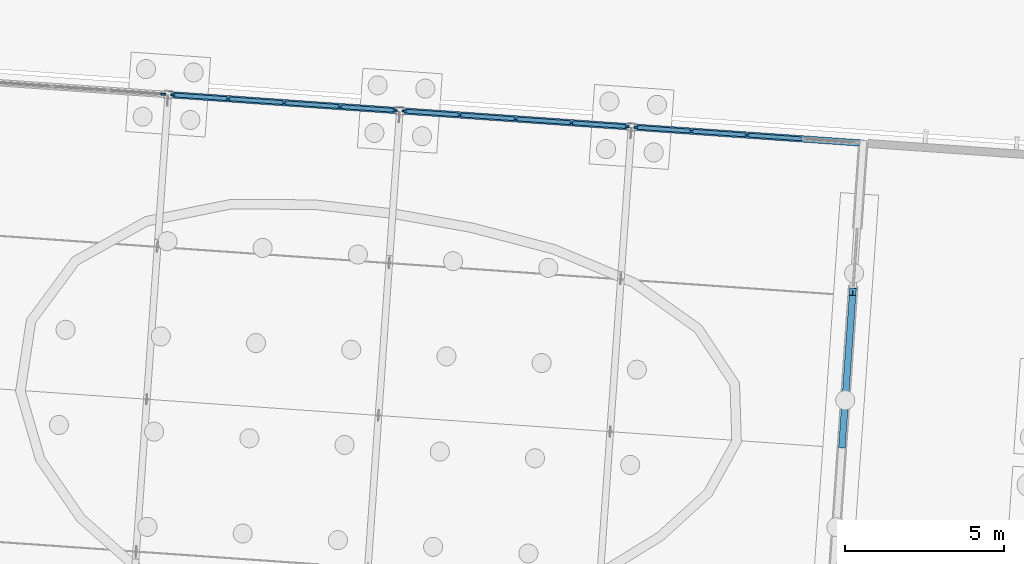
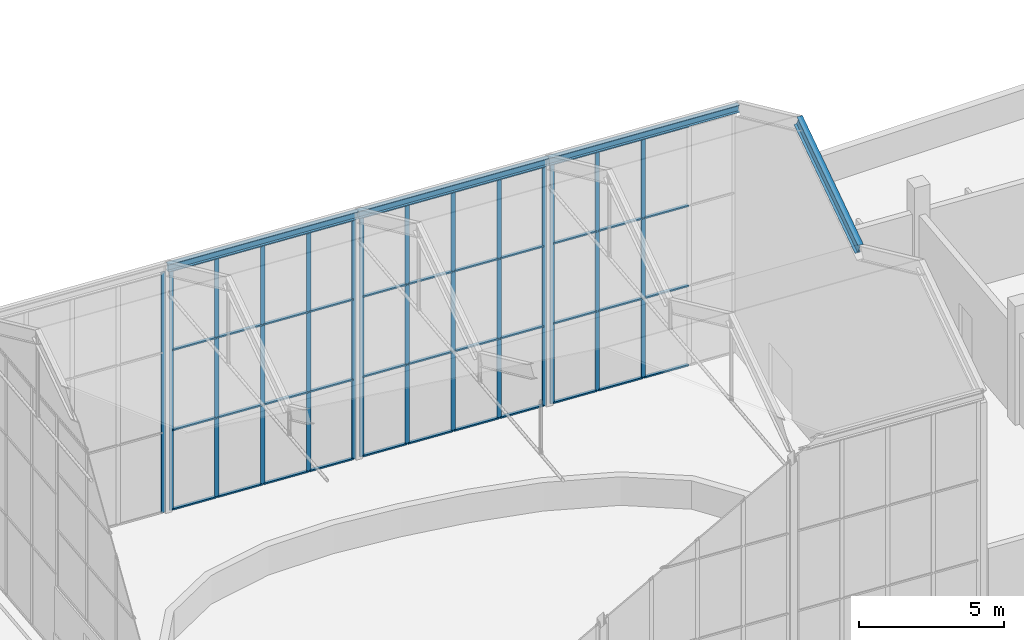
# One storey, part 62 of 157: 59 members, 3 beams, 4 elements without a shape of their own.
"""IFC4 building model written with IfcOpenShell, lengths in metres."""

from ifc_helpers import new_model, si_unit, direction, frame, origin, origin_2d, place, context, subcontext, project, spatial, rectangle, i_section, extrude, material, material_profile, profile_set, type_object, element, aggregate, save


model = new_model("IFC4")

# Units and contexts
model_context = context("Model", 3, precision=1e-05, world=origin(), true_north=direction((0.0, 1.0)))
body_context = subcontext(model_context, "Body", "Model", "MODEL_VIEW")
ifc_project = project(units=[si_unit("LENGTHUNIT", "METRE"), si_unit("AREAUNIT", "SQUARE_METRE"), si_unit("VOLUMEUNIT", "CUBIC_METRE"), si_unit("PLANEANGLEUNIT", "RADIAN"), si_unit("MASSUNIT", "GRAM", prefix="KILO")], contexts=[model_context])

# Site, building, storey
site_placement = place(None, origin())
site = spatial("IfcSite", under=ifc_project, at=site_placement, CompositionType="ELEMENT")
building_placement = place(site_placement, origin())
building = spatial("IfcBuilding", under=site, at=building_placement, Name="Windward Yard Aquatics Centre", CompositionType="ELEMENT")
storey_placement = place(building_placement, origin())
storey = spatial("IfcBuildingStorey", under=building, at=storey_placement, Name="L00", CompositionType="ELEMENT", Elevation=0.0)

# Curtain wall, member
ifc_material_1 = material(Name="Aluminium curtain wall system", Category="aluminium")
curtain_wall_type = type_object("IfcCurtainWallType", Name="W curtain wall 1900", PredefinedType="NOTDEFINED", material=ifc_material_1)
curtain_wall_1_placement = place(storey_placement, origin())
curtain_wall_1 = element("IfcCurtainWall", 1, at=curtain_wall_1_placement, inside=storey, type_object=curtain_wall_type, Name="Wing north glazing L00 1", PredefinedType="NOTDEFINED")
ifc_material_2 = material(Name="Aluminium mullion", Category="aluminium")
ifc_material_profile_1 = material_profile(ifc_material_2, rectangle(XDim=0.06005859375, YDim=0.159912109375, at=origin_2d()), Name="AL 60x160")
ifc_profile_set_1 = profile_set([ifc_material_profile_1], Name="Aluminium mullion")
member_type_1 = type_object("IfcMemberType", Name="W CW mullion 60x160", PredefinedType="MULLION", material=ifc_profile_set_1)
member_1_placement = place(storey_placement, frame((80.316162109375, 138.038330078125, 0.0), z_axis=(0.0, 0.0, 1.0), x_axis=(0.069756251182, 0.997564065823, 0.0)))
member_1 = element("IfcMember", 2, at=member_1_placement, type_object=member_type_1, Name="WCW1 mullion 5", PredefinedType="MULLION", context=body_context, shape_type="SweptSolid", body=[
    extrude(rectangle(XDim=0.06005859375, YDim=0.159912109375, at=origin_2d()), origin(), (0.0, 0.0, 1.0), 10.097900390625),
])
aggregate(curtain_wall_1, [member_1])

# Curtain wall, members
curtain_wall_2_placement = place(storey_placement, origin())
curtain_wall_2 = element("IfcCurtainWall", 3, at=curtain_wall_2_placement, inside=storey, type_object=curtain_wall_type, Name="Wing north glazing L00 2", PredefinedType="NOTDEFINED")
member_2_placement = place(storey_placement, frame((80.62939453125, 138.016357421875, 0.0), z_axis=(0.0, 0.0, 1.0), x_axis=(0.069756251182, 0.997564065823, 0.0)))
member_2 = element("IfcMember", 4, at=member_2_placement, type_object=member_type_1, Name="WCW1 mullion 1", PredefinedType="MULLION", context=body_context, shape_type="SweptSolid", body=[
    extrude(rectangle(XDim=0.06005859375, YDim=0.159912109375, at=origin_2d()), origin(), (0.0, 0.0, 1.0), 10.097900390625),
])
member_3_placement = place(storey_placement, frame((82.356689453125, 137.8955078125, 0.0), z_axis=(0.0, 0.0, 1.0), x_axis=(0.069756251182, 0.997564065823, 0.0)))
member_3 = element("IfcMember", 5, at=member_3_placement, type_object=member_type_1, Name="WCW1 mullion 2", PredefinedType="MULLION", context=body_context, shape_type="SweptSolid", body=[
    extrude(rectangle(XDim=0.06005859375, YDim=0.159912109375, at=origin_2d()), origin(), (0.0, 0.0, 1.0), 10.097900390625),
])
member_4_placement = place(storey_placement, frame((84.11376953125, 137.772705078125, 0.0), z_axis=(0.0, 0.0, 1.0), x_axis=(0.069756251182, 0.997564065823, 0.0)))
member_4 = element("IfcMember", 6, at=member_4_placement, type_object=member_type_1, Name="WCW1 mullion 3", PredefinedType="MULLION", context=body_context, shape_type="SweptSolid", body=[
    extrude(rectangle(XDim=0.06005859375, YDim=0.159912109375, at=origin_2d()), origin(), (0.0, 0.0, 1.0), 10.097900390625),
])
member_5_placement = place(storey_placement, frame((85.87109375, 137.64990234375, 0.0), z_axis=(0.0, 0.0, 1.0), x_axis=(0.069756251182, 0.997564065823, 0.0)))
member_5 = element("IfcMember", 7, at=member_5_placement, type_object=member_type_1, Name="WCW1 mullion 4", PredefinedType="MULLION", context=body_context, shape_type="SweptSolid", body=[
    extrude(rectangle(XDim=0.06005859375, YDim=0.159912109375, at=origin_2d()), origin(), (0.0, 0.0, 1.0), 10.097900390625),
])
member_6_placement = place(storey_placement, frame((87.598388671875, 137.529052734375, 0.0), z_axis=(0.0, 0.0, 1.0), x_axis=(0.069756251182, 0.997564065823, 0.0)))
member_6 = element("IfcMember", 8, at=member_6_placement, type_object=member_type_1, Name="WCW1 mullion 5", PredefinedType="MULLION", context=body_context, shape_type="SweptSolid", body=[
    extrude(rectangle(XDim=0.06005859375, YDim=0.159912109375, at=origin_2d()), origin(), (0.0, 0.0, 1.0), 10.097900390625),
])

curtain_wall_3_placement = place(storey_placement, origin())
curtain_wall_3 = element("IfcCurtainWall", 9, at=curtain_wall_3_placement, inside=storey, type_object=curtain_wall_type, Name="Wing north glazing L00 3", PredefinedType="NOTDEFINED")
member_7_placement = place(storey_placement, frame((87.91162109375, 137.507080078125, 0.0), z_axis=(0.0, 0.0, 1.0), x_axis=(0.069756251182, 0.997564065823, 0.0)))
member_7 = element("IfcMember", 10, at=member_7_placement, type_object=member_type_1, Name="WCW1 mullion 1", PredefinedType="MULLION", context=body_context, shape_type="SweptSolid", body=[
    extrude(rectangle(XDim=0.06005859375, YDim=0.159912109375, at=origin_2d()), origin(), (0.0, 0.0, 1.0), 10.097900390625),
])
member_8_placement = place(storey_placement, frame((89.638916015625, 137.38623046875, 0.0), z_axis=(0.0, 0.0, 1.0), x_axis=(0.069756251182, 0.997564065823, 0.0)))
member_8 = element("IfcMember", 11, at=member_8_placement, type_object=member_type_1, Name="WCW1 mullion 2", PredefinedType="MULLION", context=body_context, shape_type="SweptSolid", body=[
    extrude(rectangle(XDim=0.06005859375, YDim=0.159912109375, at=origin_2d()), origin(), (0.0, 0.0, 1.0), 10.097900390625),
])
member_9_placement = place(storey_placement, frame((91.39599609375, 137.263427734375, 0.0), z_axis=(0.0, 0.0, 1.0), x_axis=(0.069756251182, 0.997564065823, 0.0)))
member_9 = element("IfcMember", 12, at=member_9_placement, type_object=member_type_1, Name="WCW1 mullion 3", PredefinedType="MULLION", context=body_context, shape_type="SweptSolid", body=[
    extrude(rectangle(XDim=0.06005859375, YDim=0.159912109375, at=origin_2d()), origin(), (0.0, 0.0, 1.0), 10.097900390625),
])
member_10_placement = place(storey_placement, frame((93.1533203125, 137.140625, 0.0), z_axis=(0.0, 0.0, 1.0), x_axis=(0.069756251182, 0.997564065823, 0.0)))
member_10 = element("IfcMember", 13, at=member_10_placement, type_object=member_type_1, Name="WCW1 mullion 4", PredefinedType="MULLION", context=body_context, shape_type="SweptSolid", body=[
    extrude(rectangle(XDim=0.06005859375, YDim=0.159912109375, at=origin_2d()), origin(), (0.0, 0.0, 1.0), 10.097900390625),
])
member_11_placement = place(storey_placement, frame((94.88037109375, 137.019775390625, 0.0), z_axis=(0.0, 0.0, 1.0), x_axis=(0.069756251182, 0.997564065823, 0.0)))
member_11 = element("IfcMember", 14, at=member_11_placement, type_object=member_type_1, Name="WCW1 mullion 5", PredefinedType="MULLION", context=body_context, shape_type="SweptSolid", body=[
    extrude(rectangle(XDim=0.06005859375, YDim=0.159912109375, at=origin_2d()), origin(), (0.0, 0.0, 1.0), 10.097900390625),
])

curtain_wall_4_placement = place(storey_placement, origin())
curtain_wall_4 = element("IfcCurtainWall", 15, at=curtain_wall_4_placement, inside=storey, type_object=curtain_wall_type, Name="Wing north glazing L00 4", PredefinedType="NOTDEFINED")
member_12_placement = place(storey_placement, frame((95.19384765625, 136.997802734375, 0.0), z_axis=(0.0, 0.0, 1.0), x_axis=(0.069756438069, 0.997564052754, 0.0)))
member_12 = element("IfcMember", 16, at=member_12_placement, type_object=member_type_1, Name="WCW1 mullion 1", PredefinedType="MULLION", context=body_context, shape_type="SweptSolid", body=[
    extrude(rectangle(XDim=0.06005859375, YDim=0.159912109375, at=origin_2d()), origin(), (0.0, 0.0, 1.0), 10.097900390625),
])
member_13_placement = place(storey_placement, frame((96.915283203125, 136.87744140625, 0.0), z_axis=(0.0, 0.0, 1.0), x_axis=(0.069756438069, 0.997564052754, 0.0)))
member_13 = element("IfcMember", 17, at=member_13_placement, type_object=member_type_1, Name="WCW1 mullion 2", PredefinedType="MULLION", context=body_context, shape_type="SweptSolid", body=[
    extrude(rectangle(XDim=0.06005859375, YDim=0.159912109375, at=origin_2d()), origin(), (0.0, 0.0, 1.0), 10.097900390625),
])
member_14_placement = place(storey_placement, frame((98.666748046875, 136.755126953125, 0.0), z_axis=(0.0, 0.0, 1.0), x_axis=(0.069756438069, 0.997564052754, 0.0)))
member_14 = element("IfcMember", 18, at=member_14_placement, type_object=member_type_1, Name="WCW1 mullion 3", PredefinedType="MULLION", context=body_context, shape_type="SweptSolid", body=[
    extrude(rectangle(XDim=0.06005859375, YDim=0.159912109375, at=origin_2d()), origin(), (0.0, 0.0, 1.0), 10.097900390625),
])

# Member
ifc_material_3 = material(Name="Aluminium transom", Category="aluminium")
ifc_material_profile_2 = material_profile(ifc_material_3, rectangle(XDim=0.1201171875, YDim=0.06005859375, at=origin_2d()), Name="AL 120x60")
ifc_profile_set_2 = profile_set([ifc_material_profile_2], Name="Aluminium transom")
member_type_2 = type_object("IfcMemberType", Name="W CW transom 120x60", PredefinedType="USERDEFINED", material=ifc_profile_set_2)
member_15_placement = place(storey_placement, frame((80.6591796875, 138.014404296875, 0.030029296875), z_axis=(0.99755998444, -0.069814593347, 0.0), x_axis=(0.069814593347, 0.99755998444, 0.0)))
member_15 = element("IfcMember", 19, at=member_15_placement, type_object=member_type_2, Name="WCW1 transom 1.1", ObjectType="TRANSOM", PredefinedType="USERDEFINED", context=body_context, shape_type="SweptSolid", body=[
    extrude(rectangle(XDim=0.1201171875, YDim=0.06005859375, at=origin_2d()), origin(), (0.0, 0.0, 1.0), 1.671630859375),
])

member_16_placement = place(storey_placement, frame((80.6591796875, 138.014404296875, 3.365966796875), z_axis=(0.99755998444, -0.069814593347, 0.0), x_axis=(0.069814593347, 0.99755998444, 0.0)))
member_16 = element("IfcMember", 20, at=member_16_placement, type_object=member_type_2, Name="WCW1 transom 1.2", ObjectType="TRANSOM", PredefinedType="USERDEFINED", context=body_context, shape_type="SweptSolid", body=[
    extrude(rectangle(XDim=0.1201171875, YDim=0.06005859375, at=origin_2d()), origin(), (0.0, 0.0, 1.0), 1.671630859375),
])

member_17_placement = place(storey_placement, frame((80.6591796875, 138.014404296875, 6.73193359375), z_axis=(0.99755998444, -0.069814593347, 0.0), x_axis=(0.069814593347, 0.99755998444, 0.0)))
member_17 = element("IfcMember", 21, at=member_17_placement, type_object=member_type_2, Name="WCW1 transom 1.3", ObjectType="TRANSOM", PredefinedType="USERDEFINED", context=body_context, shape_type="SweptSolid", body=[
    extrude(rectangle(XDim=0.1201171875, YDim=0.06005859375, at=origin_2d()), origin(), (0.0, 0.0, 1.0), 1.671630859375),
])

member_18_placement = place(storey_placement, frame((80.6591796875, 138.014404296875, 10.068115234375), z_axis=(0.99755998444, -0.069814593347, 0.0), x_axis=(0.069814593347, 0.99755998444, 0.0)))
member_18 = element("IfcMember", 22, at=member_18_placement, type_object=member_type_2, Name="WCW1 transom 1.4", ObjectType="TRANSOM", PredefinedType="USERDEFINED", context=body_context, shape_type="SweptSolid", body=[
    extrude(rectangle(XDim=0.1201171875, YDim=0.06005859375, at=origin_2d()), origin(), (0.0, 0.0, 1.0), 1.671630859375),
])

member_19_placement = place(storey_placement, frame((82.386474609375, 137.8935546875, 0.030029296875), z_axis=(0.997566057818, -0.069727758392, 0.0), x_axis=(0.069727758392, 0.997566057818, 0.0)))
member_19 = element("IfcMember", 23, at=member_19_placement, type_object=member_type_2, Name="WCW1 transom 2.1", ObjectType="TRANSOM", PredefinedType="USERDEFINED", context=body_context, shape_type="SweptSolid", body=[
    extrude(rectangle(XDim=0.1201171875, YDim=0.06005859375, at=origin_2d()), origin(), (0.0, 0.0, 1.0), 1.70166015625),
])

member_20_placement = place(storey_placement, frame((82.386474609375, 137.8935546875, 3.365966796875), z_axis=(0.997566057818, -0.069727758392, 0.0), x_axis=(0.069727758392, 0.997566057818, 0.0)))
member_20 = element("IfcMember", 24, at=member_20_placement, type_object=member_type_2, Name="WCW1 transom 2.2", ObjectType="TRANSOM", PredefinedType="USERDEFINED", context=body_context, shape_type="SweptSolid", body=[
    extrude(rectangle(XDim=0.1201171875, YDim=0.06005859375, at=origin_2d()), origin(), (0.0, 0.0, 1.0), 1.70166015625),
])

member_21_placement = place(storey_placement, frame((82.386474609375, 137.8935546875, 6.73193359375), z_axis=(0.997566057818, -0.069727758392, 0.0), x_axis=(0.069727758392, 0.997566057818, 0.0)))
member_21 = element("IfcMember", 25, at=member_21_placement, type_object=member_type_2, Name="WCW1 transom 2.3", ObjectType="TRANSOM", PredefinedType="USERDEFINED", context=body_context, shape_type="SweptSolid", body=[
    extrude(rectangle(XDim=0.1201171875, YDim=0.06005859375, at=origin_2d()), origin(), (0.0, 0.0, 1.0), 1.70166015625),
])

member_22_placement = place(storey_placement, frame((82.386474609375, 137.8935546875, 10.068115234375), z_axis=(0.997566057818, -0.069727758392, 0.0), x_axis=(0.069727758392, 0.997566057818, 0.0)))
member_22 = element("IfcMember", 26, at=member_22_placement, type_object=member_type_2, Name="WCW1 transom 2.4", ObjectType="TRANSOM", PredefinedType="USERDEFINED", context=body_context, shape_type="SweptSolid", body=[
    extrude(rectangle(XDim=0.1201171875, YDim=0.06005859375, at=origin_2d()), origin(), (0.0, 0.0, 1.0), 1.70166015625),
])

member_23_placement = place(storey_placement, frame((84.143798828125, 137.770751953125, 0.030029296875), z_axis=(0.997555367454, -0.069880532789, 0.0), x_axis=(0.069880532789, 0.997555367454, 0.0)))
member_23 = element("IfcMember", 27, at=member_23_placement, type_object=member_type_2, Name="WCW1 transom 3.1", ObjectType="TRANSOM", PredefinedType="USERDEFINED", context=body_context, shape_type="SweptSolid", body=[
    extrude(rectangle(XDim=0.1201171875, YDim=0.06005859375, at=origin_2d()), origin(), (0.0, 0.0, 1.0), 1.701416015625),
])

member_24_placement = place(storey_placement, frame((84.143798828125, 137.770751953125, 3.365966796875), z_axis=(0.997555367454, -0.069880532789, 0.0), x_axis=(0.069880532789, 0.997555367454, 0.0)))
member_24 = element("IfcMember", 28, at=member_24_placement, type_object=member_type_2, Name="WCW1 transom 3.2", ObjectType="TRANSOM", PredefinedType="USERDEFINED", context=body_context, shape_type="SweptSolid", body=[
    extrude(rectangle(XDim=0.1201171875, YDim=0.06005859375, at=origin_2d()), origin(), (0.0, 0.0, 1.0), 1.701416015625),
])

member_25_placement = place(storey_placement, frame((84.143798828125, 137.770751953125, 6.73193359375), z_axis=(0.997555367454, -0.069880532789, 0.0), x_axis=(0.069880532789, 0.997555367454, 0.0)))
member_25 = element("IfcMember", 29, at=member_25_placement, type_object=member_type_2, Name="WCW1 transom 3.3", ObjectType="TRANSOM", PredefinedType="USERDEFINED", context=body_context, shape_type="SweptSolid", body=[
    extrude(rectangle(XDim=0.1201171875, YDim=0.06005859375, at=origin_2d()), origin(), (0.0, 0.0, 1.0), 1.701416015625),
])

member_26_placement = place(storey_placement, frame((84.143798828125, 137.770751953125, 10.068115234375), z_axis=(0.997555367454, -0.069880532789, 0.0), x_axis=(0.069880532789, 0.997555367454, 0.0)))
member_26 = element("IfcMember", 30, at=member_26_placement, type_object=member_type_2, Name="WCW1 transom 3.4", ObjectType="TRANSOM", PredefinedType="USERDEFINED", context=body_context, shape_type="SweptSolid", body=[
    extrude(rectangle(XDim=0.1201171875, YDim=0.06005859375, at=origin_2d()), origin(), (0.0, 0.0, 1.0), 1.701416015625),
])

member_27_placement = place(storey_placement, frame((85.90087890625, 137.647705078125, 0.030029296875), z_axis=(0.997570145889, -0.069669247378, 0.0), x_axis=(0.069669247378, 0.997570145889, 0.0)))
member_27 = element("IfcMember", 31, at=member_27_placement, type_object=member_type_2, Name="WCW1 transom 4.1", ObjectType="TRANSOM", PredefinedType="USERDEFINED", context=body_context, shape_type="SweptSolid", body=[
    extrude(rectangle(XDim=0.1201171875, YDim=0.06005859375, at=origin_2d()), origin(), (0.0, 0.0, 1.0), 1.671630859375),
])

member_28_placement = place(storey_placement, frame((85.90087890625, 137.647705078125, 3.365966796875), z_axis=(0.997570145889, -0.069669247378, 0.0), x_axis=(0.069669247378, 0.997570145889, 0.0)))
member_28 = element("IfcMember", 32, at=member_28_placement, type_object=member_type_2, Name="WCW1 transom 4.2", ObjectType="TRANSOM", PredefinedType="USERDEFINED", context=body_context, shape_type="SweptSolid", body=[
    extrude(rectangle(XDim=0.1201171875, YDim=0.06005859375, at=origin_2d()), origin(), (0.0, 0.0, 1.0), 1.671630859375),
])

member_29_placement = place(storey_placement, frame((85.90087890625, 137.647705078125, 6.73193359375), z_axis=(0.997570145889, -0.069669247378, 0.0), x_axis=(0.069669247378, 0.997570145889, 0.0)))
member_29 = element("IfcMember", 33, at=member_29_placement, type_object=member_type_2, Name="WCW1 transom 4.3", ObjectType="TRANSOM", PredefinedType="USERDEFINED", context=body_context, shape_type="SweptSolid", body=[
    extrude(rectangle(XDim=0.1201171875, YDim=0.06005859375, at=origin_2d()), origin(), (0.0, 0.0, 1.0), 1.671630859375),
])

member_30_placement = place(storey_placement, frame((85.90087890625, 137.647705078125, 10.068115234375), z_axis=(0.997570145889, -0.069669247378, 0.0), x_axis=(0.069669247378, 0.997570145889, 0.0)))
member_30 = element("IfcMember", 34, at=member_30_placement, type_object=member_type_2, Name="WCW1 transom 4.4", ObjectType="TRANSOM", PredefinedType="USERDEFINED", context=body_context, shape_type="SweptSolid", body=[
    extrude(rectangle(XDim=0.1201171875, YDim=0.06005859375, at=origin_2d()), origin(), (0.0, 0.0, 1.0), 1.671630859375),
])

aggregate(curtain_wall_2, [member_2, member_3, member_4, member_5, member_6, member_15, member_16, member_17, member_18, member_19, member_20, member_21, member_22, member_23, member_24, member_25, member_26, member_27, member_28, member_29, member_30])

member_31_placement = place(storey_placement, frame((87.94140625, 137.505126953125, 0.030029296875), z_axis=(0.99755998444, -0.069814593347, 0.0), x_axis=(0.069814593347, 0.99755998444, 0.0)))
member_31 = element("IfcMember", 35, at=member_31_placement, type_object=member_type_2, Name="WCW1 transom 1.1", ObjectType="TRANSOM", PredefinedType="USERDEFINED", context=body_context, shape_type="SweptSolid", body=[
    extrude(rectangle(XDim=0.1201171875, YDim=0.06005859375, at=origin_2d()), origin(), (0.0, 0.0, 1.0), 1.671630859375),
])

member_32_placement = place(storey_placement, frame((87.94140625, 137.505126953125, 3.365966796875), z_axis=(0.99755998444, -0.069814593347, 0.0), x_axis=(0.069814593347, 0.99755998444, 0.0)))
member_32 = element("IfcMember", 36, at=member_32_placement, type_object=member_type_2, Name="WCW1 transom 1.2", ObjectType="TRANSOM", PredefinedType="USERDEFINED", context=body_context, shape_type="SweptSolid", body=[
    extrude(rectangle(XDim=0.1201171875, YDim=0.06005859375, at=origin_2d()), origin(), (0.0, 0.0, 1.0), 1.671630859375),
])

member_33_placement = place(storey_placement, frame((87.94140625, 137.505126953125, 6.73193359375), z_axis=(0.99755998444, -0.069814593347, 0.0), x_axis=(0.069814593347, 0.99755998444, 0.0)))
member_33 = element("IfcMember", 37, at=member_33_placement, type_object=member_type_2, Name="WCW1 transom 1.3", ObjectType="TRANSOM", PredefinedType="USERDEFINED", context=body_context, shape_type="SweptSolid", body=[
    extrude(rectangle(XDim=0.1201171875, YDim=0.06005859375, at=origin_2d()), origin(), (0.0, 0.0, 1.0), 1.671630859375),
])

member_34_placement = place(storey_placement, frame((87.94140625, 137.505126953125, 10.068115234375), z_axis=(0.99755998444, -0.069814593347, 0.0), x_axis=(0.069814593347, 0.99755998444, 0.0)))
member_34 = element("IfcMember", 38, at=member_34_placement, type_object=member_type_2, Name="WCW1 transom 1.4", ObjectType="TRANSOM", PredefinedType="USERDEFINED", context=body_context, shape_type="SweptSolid", body=[
    extrude(rectangle(XDim=0.1201171875, YDim=0.06005859375, at=origin_2d()), origin(), (0.0, 0.0, 1.0), 1.671630859375),
])

member_35_placement = place(storey_placement, frame((89.668701171875, 137.38427734375, 0.030029296875), z_axis=(0.997565360109, -0.069737739501, 0.0), x_axis=(0.069737739501, 0.997565360109, 0.0)))
member_35 = element("IfcMember", 39, at=member_35_placement, type_object=member_type_2, Name="WCW1 transom 2.1", ObjectType="TRANSOM", PredefinedType="USERDEFINED", context=body_context, shape_type="SweptSolid", body=[
    extrude(rectangle(XDim=0.1201171875, YDim=0.06005859375, at=origin_2d()), origin(), (0.0, 0.0, 1.0), 1.701416015625),
])

member_36_placement = place(storey_placement, frame((89.668701171875, 137.38427734375, 3.365966796875), z_axis=(0.997565360109, -0.069737739501, 0.0), x_axis=(0.069737739501, 0.997565360109, 0.0)))
member_36 = element("IfcMember", 40, at=member_36_placement, type_object=member_type_2, Name="WCW1 transom 2.2", ObjectType="TRANSOM", PredefinedType="USERDEFINED", context=body_context, shape_type="SweptSolid", body=[
    extrude(rectangle(XDim=0.1201171875, YDim=0.06005859375, at=origin_2d()), origin(), (0.0, 0.0, 1.0), 1.701416015625),
])

member_37_placement = place(storey_placement, frame((89.668701171875, 137.38427734375, 6.73193359375), z_axis=(0.997565360109, -0.069737739501, 0.0), x_axis=(0.069737739501, 0.997565360109, 0.0)))
member_37 = element("IfcMember", 41, at=member_37_placement, type_object=member_type_2, Name="WCW1 transom 2.3", ObjectType="TRANSOM", PredefinedType="USERDEFINED", context=body_context, shape_type="SweptSolid", body=[
    extrude(rectangle(XDim=0.1201171875, YDim=0.06005859375, at=origin_2d()), origin(), (0.0, 0.0, 1.0), 1.701416015625),
])

member_38_placement = place(storey_placement, frame((89.668701171875, 137.38427734375, 10.068115234375), z_axis=(0.997565360109, -0.069737739501, 0.0), x_axis=(0.069737739501, 0.997565360109, 0.0)))
member_38 = element("IfcMember", 42, at=member_38_placement, type_object=member_type_2, Name="WCW1 transom 2.4", ObjectType="TRANSOM", PredefinedType="USERDEFINED", context=body_context, shape_type="SweptSolid", body=[
    extrude(rectangle(XDim=0.1201171875, YDim=0.06005859375, at=origin_2d()), origin(), (0.0, 0.0, 1.0), 1.701416015625),
])

member_39_placement = place(storey_placement, frame((91.426025390625, 137.261474609375, 0.030029296875), z_axis=(0.997555367454, -0.069880532789, 0.0), x_axis=(0.069880532789, 0.997555367454, 0.0)))
member_39 = element("IfcMember", 43, at=member_39_placement, type_object=member_type_2, Name="WCW1 transom 3.1", ObjectType="TRANSOM", PredefinedType="USERDEFINED", context=body_context, shape_type="SweptSolid", body=[
    extrude(rectangle(XDim=0.1201171875, YDim=0.06005859375, at=origin_2d()), origin(), (0.0, 0.0, 1.0), 1.701416015625),
])

member_40_placement = place(storey_placement, frame((91.426025390625, 137.261474609375, 3.365966796875), z_axis=(0.997555367454, -0.069880532789, 0.0), x_axis=(0.069880532789, 0.997555367454, 0.0)))
member_40 = element("IfcMember", 44, at=member_40_placement, type_object=member_type_2, Name="WCW1 transom 3.2", ObjectType="TRANSOM", PredefinedType="USERDEFINED", context=body_context, shape_type="SweptSolid", body=[
    extrude(rectangle(XDim=0.1201171875, YDim=0.06005859375, at=origin_2d()), origin(), (0.0, 0.0, 1.0), 1.701416015625),
])

member_41_placement = place(storey_placement, frame((91.426025390625, 137.261474609375, 6.73193359375), z_axis=(0.997555367454, -0.069880532789, 0.0), x_axis=(0.069880532789, 0.997555367454, 0.0)))
member_41 = element("IfcMember", 45, at=member_41_placement, type_object=member_type_2, Name="WCW1 transom 3.3", ObjectType="TRANSOM", PredefinedType="USERDEFINED", context=body_context, shape_type="SweptSolid", body=[
    extrude(rectangle(XDim=0.1201171875, YDim=0.06005859375, at=origin_2d()), origin(), (0.0, 0.0, 1.0), 1.701416015625),
])

member_42_placement = place(storey_placement, frame((91.426025390625, 137.261474609375, 10.068115234375), z_axis=(0.997555367454, -0.069880532789, 0.0), x_axis=(0.069880532789, 0.997555367454, 0.0)))
member_42 = element("IfcMember", 46, at=member_42_placement, type_object=member_type_2, Name="WCW1 transom 3.4", ObjectType="TRANSOM", PredefinedType="USERDEFINED", context=body_context, shape_type="SweptSolid", body=[
    extrude(rectangle(XDim=0.1201171875, YDim=0.06005859375, at=origin_2d()), origin(), (0.0, 0.0, 1.0), 1.701416015625),
])

member_43_placement = place(storey_placement, frame((93.18310546875, 137.138427734375, 0.030029296875), z_axis=(0.997570145889, -0.069669247378, 0.0), x_axis=(0.069669247378, 0.997570145889, 0.0)))
member_43 = element("IfcMember", 47, at=member_43_placement, type_object=member_type_2, Name="WCW1 transom 4.1", ObjectType="TRANSOM", PredefinedType="USERDEFINED", context=body_context, shape_type="SweptSolid", body=[
    extrude(rectangle(XDim=0.1201171875, YDim=0.06005859375, at=origin_2d()), origin(), (0.0, 0.0, 1.0), 1.671630859375),
])

member_44_placement = place(storey_placement, frame((93.18310546875, 137.138427734375, 3.365966796875), z_axis=(0.997570145889, -0.069669247378, 0.0), x_axis=(0.069669247378, 0.997570145889, 0.0)))
member_44 = element("IfcMember", 48, at=member_44_placement, type_object=member_type_2, Name="WCW1 transom 4.2", ObjectType="TRANSOM", PredefinedType="USERDEFINED", context=body_context, shape_type="SweptSolid", body=[
    extrude(rectangle(XDim=0.1201171875, YDim=0.06005859375, at=origin_2d()), origin(), (0.0, 0.0, 1.0), 1.671630859375),
])

member_45_placement = place(storey_placement, frame((93.18310546875, 137.138427734375, 6.73193359375), z_axis=(0.997570145889, -0.069669247378, 0.0), x_axis=(0.069669247378, 0.997570145889, 0.0)))
member_45 = element("IfcMember", 49, at=member_45_placement, type_object=member_type_2, Name="WCW1 transom 4.3", ObjectType="TRANSOM", PredefinedType="USERDEFINED", context=body_context, shape_type="SweptSolid", body=[
    extrude(rectangle(XDim=0.1201171875, YDim=0.06005859375, at=origin_2d()), origin(), (0.0, 0.0, 1.0), 1.671630859375),
])

member_46_placement = place(storey_placement, frame((93.18310546875, 137.138427734375, 10.068115234375), z_axis=(0.997570145889, -0.069669247378, 0.0), x_axis=(0.069669247378, 0.997570145889, 0.0)))
member_46 = element("IfcMember", 50, at=member_46_placement, type_object=member_type_2, Name="WCW1 transom 4.4", ObjectType="TRANSOM", PredefinedType="USERDEFINED", context=body_context, shape_type="SweptSolid", body=[
    extrude(rectangle(XDim=0.1201171875, YDim=0.06005859375, at=origin_2d()), origin(), (0.0, 0.0, 1.0), 1.671630859375),
])

aggregate(curtain_wall_3, [member_7, member_8, member_9, member_10, member_11, member_31, member_32, member_33, member_34, member_35, member_36, member_37, member_38, member_39, member_40, member_41, member_42, member_43, member_44, member_45, member_46])

member_47_placement = place(storey_placement, frame((95.2236328125, 136.995849609375, 0.030029296875), z_axis=(0.99756325344, -0.069767867857, 0.0), x_axis=(0.069767867857, 0.99756325344, 0.0)))
member_47 = element("IfcMember", 51, at=member_47_placement, type_object=member_type_2, Name="WCW1 transom 1.1", ObjectType="TRANSOM", PredefinedType="USERDEFINED", context=body_context, shape_type="SweptSolid", body=[
    extrude(rectangle(XDim=0.1201171875, YDim=0.06005859375, at=origin_2d()), origin(), (0.0, 0.0, 1.0), 1.665771484375),
])

member_48_placement = place(storey_placement, frame((95.2236328125, 136.995849609375, 3.365966796875), z_axis=(0.99756325344, -0.069767867857, 0.0), x_axis=(0.069767867857, 0.99756325344, 0.0)))
member_48 = element("IfcMember", 52, at=member_48_placement, type_object=member_type_2, Name="WCW1 transom 1.2", ObjectType="TRANSOM", PredefinedType="USERDEFINED", context=body_context, shape_type="SweptSolid", body=[
    extrude(rectangle(XDim=0.1201171875, YDim=0.06005859375, at=origin_2d()), origin(), (0.0, 0.0, 1.0), 1.665771484375),
])

member_49_placement = place(storey_placement, frame((95.2236328125, 136.995849609375, 6.73193359375), z_axis=(0.99756325344, -0.069767867857, 0.0), x_axis=(0.069767867857, 0.99756325344, 0.0)))
member_49 = element("IfcMember", 53, at=member_49_placement, type_object=member_type_2, Name="WCW1 transom 1.3", ObjectType="TRANSOM", PredefinedType="USERDEFINED", context=body_context, shape_type="SweptSolid", body=[
    extrude(rectangle(XDim=0.1201171875, YDim=0.06005859375, at=origin_2d()), origin(), (0.0, 0.0, 1.0), 1.665771484375),
])

member_50_placement = place(storey_placement, frame((95.2236328125, 136.995849609375, 10.068115234375), z_axis=(0.99756325344, -0.069767867857, 0.0), x_axis=(0.069767867857, 0.99756325344, 0.0)))
member_50 = element("IfcMember", 54, at=member_50_placement, type_object=member_type_2, Name="WCW1 transom 1.4", ObjectType="TRANSOM", PredefinedType="USERDEFINED", context=body_context, shape_type="SweptSolid", body=[
    extrude(rectangle(XDim=0.1201171875, YDim=0.06005859375, at=origin_2d()), origin(), (0.0, 0.0, 1.0), 1.665771484375),
])

member_51_placement = place(storey_placement, frame((96.9453125, 136.87548828125, 0.030029296875), z_axis=(0.997558565921, -0.06983485919, 0.0), x_axis=(0.06983485919, 0.997558565921, 0.0)))
member_51 = element("IfcMember", 55, at=member_51_placement, type_object=member_type_2, Name="WCW1 transom 2.1", ObjectType="TRANSOM", PredefinedType="USERDEFINED", context=body_context, shape_type="SweptSolid", body=[
    extrude(rectangle(XDim=0.1201171875, YDim=0.06005859375, at=origin_2d()), origin(), (0.0, 0.0, 1.0), 1.695556640625),
])

member_52_placement = place(storey_placement, frame((96.9453125, 136.87548828125, 3.365966796875), z_axis=(0.997558565921, -0.06983485919, 0.0), x_axis=(0.06983485919, 0.997558565921, 0.0)))
member_52 = element("IfcMember", 56, at=member_52_placement, type_object=member_type_2, Name="WCW1 transom 2.2", ObjectType="TRANSOM", PredefinedType="USERDEFINED", context=body_context, shape_type="SweptSolid", body=[
    extrude(rectangle(XDim=0.1201171875, YDim=0.06005859375, at=origin_2d()), origin(), (0.0, 0.0, 1.0), 1.695556640625),
])

member_53_placement = place(storey_placement, frame((96.9453125, 136.87548828125, 6.73193359375), z_axis=(0.997558565921, -0.06983485919, 0.0), x_axis=(0.06983485919, 0.997558565921, 0.0)))
member_53 = element("IfcMember", 57, at=member_53_placement, type_object=member_type_2, Name="WCW1 transom 2.3", ObjectType="TRANSOM", PredefinedType="USERDEFINED", context=body_context, shape_type="SweptSolid", body=[
    extrude(rectangle(XDim=0.1201171875, YDim=0.06005859375, at=origin_2d()), origin(), (0.0, 0.0, 1.0), 1.695556640625),
])

member_54_placement = place(storey_placement, frame((96.9453125, 136.87548828125, 10.068115234375), z_axis=(0.997558565921, -0.06983485919, 0.0), x_axis=(0.06983485919, 0.997558565921, 0.0)))
member_54 = element("IfcMember", 58, at=member_54_placement, type_object=member_type_2, Name="WCW1 transom 2.4", ObjectType="TRANSOM", PredefinedType="USERDEFINED", context=body_context, shape_type="SweptSolid", body=[
    extrude(rectangle(XDim=0.1201171875, YDim=0.06005859375, at=origin_2d()), origin(), (0.0, 0.0, 1.0), 1.695556640625),
])

member_55_placement = place(storey_placement, frame((98.69677734375, 136.7529296875, 0.030029296875), z_axis=(0.99756858666, -0.069691569853, 0.0), x_axis=(0.069691569853, 0.99756858666, 0.0)))
member_55 = element("IfcMember", 59, at=member_55_placement, type_object=member_type_2, Name="WCW1 transom 3.1", ObjectType="TRANSOM", PredefinedType="USERDEFINED", context=body_context, shape_type="SweptSolid", body=[
    extrude(rectangle(XDim=0.1201171875, YDim=0.06005859375, at=origin_2d()), origin(), (0.0, 0.0, 1.0), 1.695556640625),
])

member_56_placement = place(storey_placement, frame((98.69677734375, 136.7529296875, 3.365966796875), z_axis=(0.99756858666, -0.069691569853, 0.0), x_axis=(0.069691569853, 0.99756858666, 0.0)))
member_56 = element("IfcMember", 60, at=member_56_placement, type_object=member_type_2, Name="WCW1 transom 3.2", ObjectType="TRANSOM", PredefinedType="USERDEFINED", context=body_context, shape_type="SweptSolid", body=[
    extrude(rectangle(XDim=0.1201171875, YDim=0.06005859375, at=origin_2d()), origin(), (0.0, 0.0, 1.0), 1.695556640625),
])

member_57_placement = place(storey_placement, frame((98.69677734375, 136.7529296875, 6.73193359375), z_axis=(0.99756858666, -0.069691569853, 0.0), x_axis=(0.069691569853, 0.99756858666, 0.0)))
member_57 = element("IfcMember", 61, at=member_57_placement, type_object=member_type_2, Name="WCW1 transom 3.3", ObjectType="TRANSOM", PredefinedType="USERDEFINED", context=body_context, shape_type="SweptSolid", body=[
    extrude(rectangle(XDim=0.1201171875, YDim=0.06005859375, at=origin_2d()), origin(), (0.0, 0.0, 1.0), 1.695556640625),
])

member_58_placement = place(storey_placement, frame((98.69677734375, 136.7529296875, 10.068115234375), z_axis=(0.99756858666, -0.069691569853, 0.0), x_axis=(0.069691569853, 0.99756858666, 0.0)))
member_58 = element("IfcMember", 62, at=member_58_placement, type_object=member_type_2, Name="WCW1 transom 3.4", ObjectType="TRANSOM", PredefinedType="USERDEFINED", context=body_context, shape_type="SweptSolid", body=[
    extrude(rectangle(XDim=0.1201171875, YDim=0.06005859375, at=origin_2d()), origin(), (0.0, 0.0, 1.0), 1.695556640625),
])

aggregate(curtain_wall_4, [member_12, member_13, member_14, member_47, member_48, member_49, member_50, member_51, member_52, member_53, member_54, member_55, member_56, member_57, member_58])

# Beams
ifc_material_4 = material(Name="Steel S355", Category="steel")
ifc_material_profile_3 = material_profile(ifc_material_4, i_section(OverallWidth=0.202880859375, OverallDepth=0.302001953125, WebThickness=0.007568359375, FlangeThickness=0.01318359375, at=origin_2d()), Name="W310x60")
ifc_profile_set_3 = profile_set([ifc_material_profile_3], Name="Steel S355")
beam_type = type_object("IfcBeamType", Name="W W310x60 beam", PredefinedType="BEAM", material=ifc_profile_set_3)
for number, where, z_axis, x_axis, name in (
    (63, (80.47265625, 138.02734375, 10.2490234375), (0.997563531133, -0.069763897209, 0.0), (0.069763897209, 0.997563531133, 0.0), "W.HEB.N.2"),
    (64, (87.7548828125, 137.51806640625, 10.2490234375), (0.997563531133, -0.069763897209, 0.0), (0.069763897209, 0.997563531133, 0.0), "W.HEB.N.3"),
    (65, (95.037109375, 137.0087890625, 10.2490234375), (0.997563531133, -0.069763897209, 0.0), (0.069763897209, 0.997563531133, 0.0), "W.HEB.N.4"),
):
    element("IfcBeam", number, at=place(storey_placement, frame(where, z_axis=z_axis, x_axis=x_axis)), inside=storey, type_object=beam_type, Name=name, PredefinedType="BEAM", context=body_context, shape_type="SweptSolid", body=[
        extrude(i_section(OverallWidth=0.202880859375, OverallDepth=0.302001953125, WebThickness=0.007568359375, FlangeThickness=0.01318359375, at=origin_2d()), origin(), (0.0, 0.0, 1.0), 7.300048828125),
    ])

# Member
ifc_material_profile_4 = material_profile(ifc_material_4, i_section(OverallWidth=0.208984375, OverallDepth=0.532958984375, WebThickness=0.01025390625, FlangeThickness=0.015625, at=origin_2d()), Name="W530x92")
ifc_profile_set_4 = profile_set([ifc_material_profile_4], Name="Steel S355")
member_type_3 = type_object("IfcMemberType", Name="W W530x92 rafter", PredefinedType="RAFTER", material=ifc_profile_set_4)
member_59_placement = place(storey_placement, frame((101.657958984375, 127.0419921875, 10.26171875), z_axis=(0.062418997936, 0.892245909267, 0.447214832148), x_axis=(-0.997561942506, 0.06978660948, 0.0)))
element("IfcMember", 66, at=member_59_placement, inside=storey, type_object=member_type_3, Name="W.RAF.5.3", PredefinedType="RAFTER", context=body_context, shape_type="SweptSolid", body=[
    extrude(i_section(OverallWidth=0.208984375, OverallDepth=0.532958984375, WebThickness=0.01025390625, FlangeThickness=0.015625, at=origin_2d()), origin(), (0.0, 0.0, 1.0), 5.3662109375),
])

save(model, "model.ifc")
